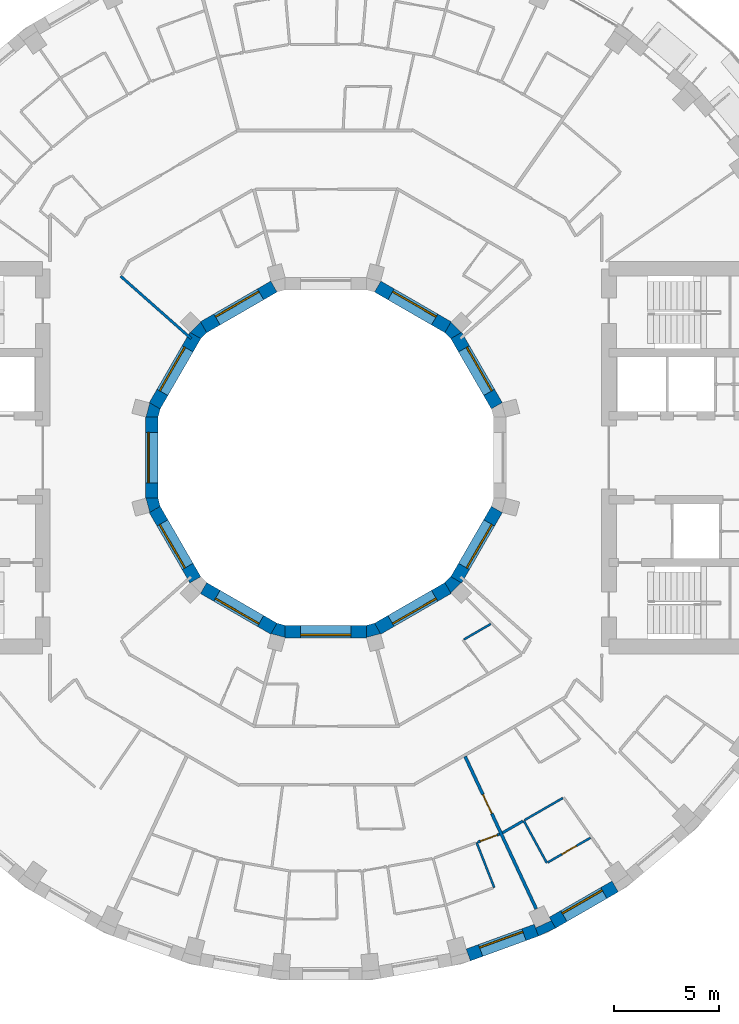
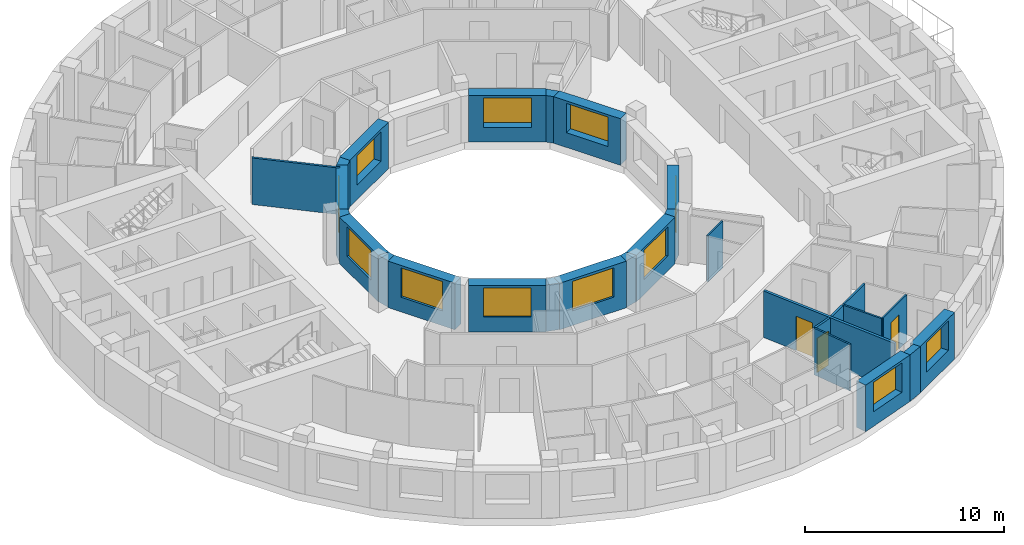
# One storey, part 7 of 15: 29 walls, 12 windows, 3 doors, 15 openings.
"""IFC4 building model written with IfcOpenShell, lengths in metres."""

from ifc_helpers import new_model, si_unit, direction, frame, frame_2d, origin, place, context, subcontext, project, spatial, polyline, rectangle, outline, extrude, material, layer, layer_set, type_object, element, fill, save


model = new_model("IFC4")

# Units and contexts
model_context = context("Model", 3, precision=1e-05, world=origin(), true_north=direction((0.0, 1.0)))
body_context = subcontext(model_context, "Body", "Model", "MODEL_VIEW")
ifc_project = project(units=[si_unit("LENGTHUNIT", "METRE"), si_unit("AREAUNIT", "SQUARE_METRE"), si_unit("VOLUMEUNIT", "CUBIC_METRE"), si_unit("PLANEANGLEUNIT", "RADIAN"), si_unit("MASSUNIT", "GRAM", prefix="KILO")], contexts=[model_context])

# Site, building, storey
site_placement = place(None, origin())
site = spatial("IfcSite", under=ifc_project, at=site_placement, CompositionType="ELEMENT")
building_placement = place(site_placement, origin())
building = spatial("IfcBuilding", under=site, at=building_placement, Name="Saqina Gate Tower", CompositionType="ELEMENT")
storey_placement = place(building_placement, frame((0.0, 0.0, 190.5)))
storey = spatial("IfcBuildingStorey", under=building, at=storey_placement, Name="L54", CompositionType="ELEMENT", Elevation=190.5)

# Wall
ifc_material_1 = material(Name="Brick masonry (buff)", Category="masonry")
wall_type_1 = type_object("IfcWallType", Name="BRICK PIER COPING BUFF", PredefinedType="SOLIDWALL", material=ifc_material_1)
wall_1_placement = place(storey_placement, origin())
element("IfcWall", 1, at=wall_1_placement, inside=storey, type_object=wall_type_1, Name="Pier cap L54 column 30", PredefinedType="SOLIDWALL", context=body_context, shape_type="SweptSolid", body=[
    extrude(outline(polyline([(10.958740234375, -22.4306640625), (10.65869140625, -21.9111328125), (10.73779296875, -22.080810546875), (10.0126953125, -22.4189453125), (9.93359375, -22.249267578125), (10.138916015625, -22.81298828125), (10.958740234375, -22.4306640625)])), origin(), (0.0, 0.0, 1.0), 2.85009765625),
])

# Wall, opening, window
ifc_material_2 = material(Name="Brick masonry (buff)", Category="masonry")
ifc_layer_1 = layer(ifc_material_2, 0.60009765625)
ifc_layer_set_1 = layer_set([ifc_layer_1], Name="FW-BRICK-BUFF")
wall_type_2 = type_object("IfcWallType", Name="FW-BRICK-BUFF", PredefinedType="SOLIDWALL", material=ifc_layer_set_1)
wall_2_placement = place(storey_placement, frame((6.79443359375, -23.7109375, 0.0), z_axis=(0.0, 0.0, 1.0), x_axis=(0.93968799822, 0.342032843455, 0.0)))
wall_2 = element("IfcWall", 2, at=wall_2_placement, inside=storey, type_object=wall_type_2, Name="Facade wall L54 facet 29", PredefinedType="SOLIDWALL", context=body_context, shape_type="SweptSolid", body=[
    extrude(rectangle(XDim=3.44970703125, YDim=0.60009765625, at=frame_2d((1.724853515625, 0.0))), origin(), (0.0, 0.0, 1.0), 2.85009765625),
])
opening_1_placement = place(wall_2_placement, frame((0.625, 0.0, 0.89990234375)))
opening_1 = element("IfcOpeningElement", 3, at=opening_1_placement, cuts=wall_2, Name="Opening G16-W18", PredefinedType="OPENING", context=body_context, shape_type="SweptSolid", body=[
    extrude(rectangle(XDim=2.199951171875, YDim=1.800048828125, at=frame_2d((1.10009765625, 0.89990234375))), frame((0.0, 0.31201171875, 0.0), z_axis=(0.0, -1.0, 0.0), x_axis=(1.0, 0.0, 0.0)), (0.0, 0.0, 1.0), 0.6240234375),
])
ifc_material_3 = material(Name="Aluminium glazing", Category="aluminium")
window_type_1 = type_object("IfcWindowType", Name="WN-C", PartitioningType="SINGLE_PANEL", PredefinedType="WINDOW", material=ifc_material_3)
window_1_placement = place(opening_1_placement, origin())
window_1 = element("IfcWindow", 4, at=window_1_placement, inside=storey, type_object=window_type_1, Name="Window L54 facet 29", OverallHeight=1.800048828125, OverallWidth=2.199951171875, PartitioningType="SINGLE_PANEL", PredefinedType="WINDOW", context=body_context, shape_type="SweptSolid", body=[
    extrude(rectangle(XDim=2.199951171875, YDim=1.800048828125, at=frame_2d((1.10009765625, 0.89990234375))), frame((0.0, 0.179931640625, 0.0), z_axis=(0.0, -1.0, 0.0), x_axis=(1.0, 0.0, 0.0)), (0.0, 0.0, 1.0), 0.06005859375),
])
fill(opening_1, window_1)

wall_3_placement = place(storey_placement, frame((10.80859375, -22.1708984375, 0.0), z_axis=(0.0, 0.0, 1.0), x_axis=(0.86602648383, 0.499998129301, 0.0)))
wall_3 = element("IfcWall", 5, at=wall_3_placement, inside=storey, type_object=wall_type_2, Name="Facade wall L54 facet 30", PredefinedType="SOLIDWALL", context=body_context, shape_type="SweptSolid", body=[
    extrude(rectangle(XDim=3.44970703125, YDim=0.60009765625, at=frame_2d((1.724853515625, 0.0))), origin(), (0.0, 0.0, 1.0), 2.85009765625),
])
opening_2_placement = place(wall_3_placement, frame((0.625, 0.0, 0.89990234375)))
opening_2 = element("IfcOpeningElement", 6, at=opening_2_placement, cuts=wall_3, Name="Opening G16-W19", PredefinedType="OPENING", context=body_context, shape_type="SweptSolid", body=[
    extrude(rectangle(XDim=2.199951171875, YDim=1.800048828125, at=frame_2d((1.10009765625, 0.89990234375))), frame((0.0, 0.31201171875, 0.0), z_axis=(0.0, -1.0, 0.0), x_axis=(1.0, 0.0, 0.0)), (0.0, 0.0, 1.0), 0.6240234375),
])
window_2_placement = place(opening_2_placement, origin())
window_2 = element("IfcWindow", 7, at=window_2_placement, inside=storey, type_object=window_type_1, Name="Window L54 facet 30", OverallHeight=1.800048828125, OverallWidth=2.199951171875, PartitioningType="SINGLE_PANEL", PredefinedType="WINDOW", context=body_context, shape_type="SweptSolid", body=[
    extrude(rectangle(XDim=2.199951171875, YDim=1.800048828125, at=frame_2d((1.10009765625, 0.89990234375))), frame((0.0, 0.179931640625, 0.0), z_axis=(0.0, -1.0, 0.0), x_axis=(1.0, 0.0, 0.0)), (0.0, 0.0, 1.0), 0.06005859375),
])
fill(opening_2, window_2)

ifc_material_4 = material(Name="Glazed ceramic tile", Category="ceramic")
ifc_layer_2 = layer(ifc_material_4, 0.60009765625)
ifc_layer_set_2 = layer_set([ifc_layer_2], Name="IW-TILE")
wall_type_3 = type_object("IfcWallType", Name="IW-TILE", PredefinedType="SOLIDWALL", material=ifc_layer_set_2)
wall_4_placement = place(storey_placement, frame((8.155517578125, 2.474365234375, 0.0), z_axis=(0.0, 0.0, 1.0), x_axis=(-0.500033728941, 0.866005929495, 0.0)))
wall_4 = element("IfcWall", 8, at=wall_4_placement, inside=storey, type_object=wall_type_3, Name="Well wall L54 facet 1", PredefinedType="SOLIDWALL", context=body_context, shape_type="SweptSolid", body=[
    extrude(rectangle(XDim=3.869873046875, YDim=0.60009765625, at=frame_2d((1.93505859375, 0.0))), origin(), (0.0, 0.0, 1.0), 2.85009765625),
])
opening_3_placement = place(wall_4_placement, frame((0.73486328125, 0.0, 0.89990234375)))
opening_3 = element("IfcOpeningElement", 9, at=opening_3_placement, cuts=wall_4, Name="Opening G16-W23", PredefinedType="OPENING", context=body_context, shape_type="SweptSolid", body=[
    extrude(rectangle(XDim=2.39990234375, YDim=1.800048828125, at=frame_2d((1.199951171875, 0.89990234375))), frame((0.0, 0.31201171875, 0.0), z_axis=(0.0, -1.0, 0.0), x_axis=(1.0, 0.0, 0.0)), (0.0, 0.0, 1.0), 0.6240234375),
])
ifc_material_5 = material(Name="Aluminium glazing", Category="aluminium")
window_type_2 = type_object("IfcWindowType", Name="WN-W", PartitioningType="SINGLE_PANEL", PredefinedType="WINDOW", material=ifc_material_5)
window_3_placement = place(opening_3_placement, origin())
window_3 = element("IfcWindow", 10, at=window_3_placement, inside=storey, type_object=window_type_2, Name="Well window L54 facet 1", OverallHeight=1.800048828125, OverallWidth=2.39990234375, PartitioningType="SINGLE_PANEL", PredefinedType="WINDOW", context=body_context, shape_type="SweptSolid", body=[
    extrude(rectangle(XDim=2.39990234375, YDim=1.800048828125, at=frame_2d((1.199951171875, 0.89990234375))), frame((0.0, -0.119873046875, 0.0), z_axis=(0.0, -1.0, 0.0), x_axis=(1.0, 0.0, 0.0)), (0.0, 0.0, 1.0), 0.06005859375),
])
fill(opening_3, window_3)

wall_5_placement = place(storey_placement, frame((5.82568359375, 6.220458984375, 0.0), z_axis=(0.0, 0.0, 1.0), x_axis=(-0.866005929495, 0.500033728941, 0.0)))
wall_5 = element("IfcWall", 11, at=wall_5_placement, inside=storey, type_object=wall_type_3, Name="Well wall L54 facet 2", PredefinedType="SOLIDWALL", context=body_context, shape_type="SweptSolid", body=[
    extrude(rectangle(XDim=3.869873046875, YDim=0.60009765625, at=frame_2d((1.93505859375, 0.0))), origin(), (0.0, 0.0, 1.0), 2.85009765625),
])
opening_4_placement = place(wall_5_placement, frame((0.73486328125, 0.0, 0.89990234375)))
opening_4 = element("IfcOpeningElement", 12, at=opening_4_placement, cuts=wall_5, Name="Opening G16-W24", PredefinedType="OPENING", context=body_context, shape_type="SweptSolid", body=[
    extrude(rectangle(XDim=2.39990234375, YDim=1.800048828125, at=frame_2d((1.199951171875, 0.89990234375))), frame((0.0, 0.31201171875, 0.0), z_axis=(0.0, -1.0, 0.0), x_axis=(1.0, 0.0, 0.0)), (0.0, 0.0, 1.0), 0.6240234375),
])
window_4_placement = place(opening_4_placement, origin())
window_4 = element("IfcWindow", 13, at=window_4_placement, inside=storey, type_object=window_type_2, Name="Well window L54 facet 2", OverallHeight=1.800048828125, OverallWidth=2.39990234375, PartitioningType="SINGLE_PANEL", PredefinedType="WINDOW", context=body_context, shape_type="SweptSolid", body=[
    extrude(rectangle(XDim=2.39990234375, YDim=1.800048828125, at=frame_2d((1.199951171875, 0.89990234375))), frame((0.0, -0.119873046875, 0.0), z_axis=(0.0, -1.0, 0.0), x_axis=(1.0, 0.0, 0.0)), (0.0, 0.0, 1.0), 0.06005859375),
])
fill(opening_4, window_4)

wall_6_placement = place(storey_placement, frame((-2.474365234375, 8.155517578125, 0.0), z_axis=(0.0, 0.0, 1.0), x_axis=(-0.866005929495, -0.500033728941, 0.0)))
wall_6 = element("IfcWall", 14, at=wall_6_placement, inside=storey, type_object=wall_type_3, Name="Well wall L54 facet 4", PredefinedType="SOLIDWALL", context=body_context, shape_type="SweptSolid", body=[
    extrude(rectangle(XDim=3.869873046875, YDim=0.60009765625, at=frame_2d((1.93505859375, 0.0))), origin(), (0.0, 0.0, 1.0), 2.85009765625),
])
opening_5_placement = place(wall_6_placement, frame((0.73486328125, 0.0, 0.89990234375)))
opening_5 = element("IfcOpeningElement", 15, at=opening_5_placement, cuts=wall_6, Name="Opening G16-W26", PredefinedType="OPENING", context=body_context, shape_type="SweptSolid", body=[
    extrude(rectangle(XDim=2.39990234375, YDim=1.800048828125, at=frame_2d((1.199951171875, 0.89990234375))), frame((0.0, 0.31201171875, 0.0), z_axis=(0.0, -1.0, 0.0), x_axis=(1.0, 0.0, 0.0)), (0.0, 0.0, 1.0), 0.6240234375),
])
window_5_placement = place(opening_5_placement, origin())
window_5 = element("IfcWindow", 16, at=window_5_placement, inside=storey, type_object=window_type_2, Name="Well window L54 facet 4", OverallHeight=1.800048828125, OverallWidth=2.39990234375, PartitioningType="SINGLE_PANEL", PredefinedType="WINDOW", context=body_context, shape_type="SweptSolid", body=[
    extrude(rectangle(XDim=2.39990234375, YDim=1.800048828125, at=frame_2d((1.199951171875, 0.89990234375))), frame((0.0, -0.119873046875, 0.0), z_axis=(0.0, -1.0, 0.0), x_axis=(1.0, 0.0, 0.0)), (0.0, 0.0, 1.0), 0.06005859375),
])
fill(opening_5, window_5)

wall_7_placement = place(storey_placement, frame((-6.220458984375, 5.82568359375, 0.0), z_axis=(0.0, 0.0, 1.0), x_axis=(-0.500033728941, -0.866005929495, 0.0)))
wall_7 = element("IfcWall", 17, at=wall_7_placement, inside=storey, type_object=wall_type_3, Name="Well wall L54 facet 5", PredefinedType="SOLIDWALL", context=body_context, shape_type="SweptSolid", body=[
    extrude(rectangle(XDim=3.869873046875, YDim=0.60009765625, at=frame_2d((1.93505859375, 0.0))), origin(), (0.0, 0.0, 1.0), 2.85009765625),
])
opening_6_placement = place(wall_7_placement, frame((0.73486328125, 0.0, 0.89990234375)))
opening_6 = element("IfcOpeningElement", 18, at=opening_6_placement, cuts=wall_7, Name="Opening G16-W27", PredefinedType="OPENING", context=body_context, shape_type="SweptSolid", body=[
    extrude(rectangle(XDim=2.39990234375, YDim=1.800048828125, at=frame_2d((1.199951171875, 0.89990234375))), frame((0.0, 0.31201171875, 0.0), z_axis=(0.0, -1.0, 0.0), x_axis=(1.0, 0.0, 0.0)), (0.0, 0.0, 1.0), 0.6240234375),
])
window_6_placement = place(opening_6_placement, origin())
window_6 = element("IfcWindow", 19, at=window_6_placement, inside=storey, type_object=window_type_2, Name="Well window L54 facet 5", OverallHeight=1.800048828125, OverallWidth=2.39990234375, PartitioningType="SINGLE_PANEL", PredefinedType="WINDOW", context=body_context, shape_type="SweptSolid", body=[
    extrude(rectangle(XDim=2.39990234375, YDim=1.800048828125, at=frame_2d((1.199951171875, 0.89990234375))), frame((0.0, -0.119873046875, 0.0), z_axis=(0.0, -1.0, 0.0), x_axis=(1.0, 0.0, 0.0)), (0.0, 0.0, 1.0), 0.06005859375),
])
fill(opening_6, window_6)

wall_8_placement = place(storey_placement, frame((-8.300048828125, 1.934814453125, 0.0), z_axis=(0.0, 0.0, 1.0), x_axis=(0.0, -1.0, 0.0)))
wall_8 = element("IfcWall", 20, at=wall_8_placement, inside=storey, type_object=wall_type_3, Name="Well wall L54 facet 6", PredefinedType="SOLIDWALL", context=body_context, shape_type="SweptSolid", body=[
    extrude(rectangle(XDim=3.86962890625, YDim=0.60009765625, at=frame_2d((1.934814453125, 0.0))), origin(), (0.0, 0.0, 1.0), 2.85009765625),
])
opening_7_placement = place(wall_8_placement, frame((0.73486328125, 0.0, 0.89990234375)))
opening_7 = element("IfcOpeningElement", 21, at=opening_7_placement, cuts=wall_8, Name="Opening G16-W28", PredefinedType="OPENING", context=body_context, shape_type="SweptSolid", body=[
    extrude(rectangle(XDim=2.39990234375, YDim=1.800048828125, at=frame_2d((1.199951171875, 0.89990234375))), frame((0.0, 0.31201171875, 0.0), z_axis=(0.0, -1.0, 0.0), x_axis=(1.0, 0.0, 0.0)), (0.0, 0.0, 1.0), 0.6240234375),
])
window_7_placement = place(opening_7_placement, origin())
window_7 = element("IfcWindow", 22, at=window_7_placement, inside=storey, type_object=window_type_2, Name="Well window L54 facet 6", OverallHeight=1.800048828125, OverallWidth=2.39990234375, PartitioningType="SINGLE_PANEL", PredefinedType="WINDOW", context=body_context, shape_type="SweptSolid", body=[
    extrude(rectangle(XDim=2.39990234375, YDim=1.800048828125, at=frame_2d((1.199951171875, 0.89990234375))), frame((0.0, -0.119873046875, 0.0), z_axis=(0.0, -1.0, 0.0), x_axis=(1.0, 0.0, 0.0)), (0.0, 0.0, 1.0), 0.06005859375),
])
fill(opening_7, window_7)

wall_9_placement = place(storey_placement, frame((-8.155517578125, -2.474365234375, 0.0), z_axis=(0.0, 0.0, 1.0), x_axis=(0.500033728941, -0.866005929495, 0.0)))
wall_9 = element("IfcWall", 23, at=wall_9_placement, inside=storey, type_object=wall_type_3, Name="Well wall L54 facet 7", PredefinedType="SOLIDWALL", context=body_context, shape_type="SweptSolid", body=[
    extrude(rectangle(XDim=3.869873046875, YDim=0.60009765625, at=frame_2d((1.93505859375, 0.0))), origin(), (0.0, 0.0, 1.0), 2.85009765625),
])
opening_8_placement = place(wall_9_placement, frame((0.73486328125, 0.0, 0.89990234375)))
opening_8 = element("IfcOpeningElement", 24, at=opening_8_placement, cuts=wall_9, Name="Opening G16-W29", PredefinedType="OPENING", context=body_context, shape_type="SweptSolid", body=[
    extrude(rectangle(XDim=2.39990234375, YDim=1.800048828125, at=frame_2d((1.199951171875, 0.89990234375))), frame((0.0, 0.31201171875, 0.0), z_axis=(0.0, -1.0, 0.0), x_axis=(1.0, 0.0, 0.0)), (0.0, 0.0, 1.0), 0.6240234375),
])
window_8_placement = place(opening_8_placement, origin())
window_8 = element("IfcWindow", 25, at=window_8_placement, inside=storey, type_object=window_type_2, Name="Well window L54 facet 7", OverallHeight=1.800048828125, OverallWidth=2.39990234375, PartitioningType="SINGLE_PANEL", PredefinedType="WINDOW", context=body_context, shape_type="SweptSolid", body=[
    extrude(rectangle(XDim=2.39990234375, YDim=1.800048828125, at=frame_2d((1.199951171875, 0.89990234375))), frame((0.0, -0.119873046875, 0.0), z_axis=(0.0, -1.0, 0.0), x_axis=(1.0, 0.0, 0.0)), (0.0, 0.0, 1.0), 0.06005859375),
])
fill(opening_8, window_8)

wall_10_placement = place(storey_placement, frame((-5.82568359375, -6.220458984375, 0.0), z_axis=(0.0, 0.0, 1.0), x_axis=(0.866005929495, -0.500033728941, 0.0)))
wall_10 = element("IfcWall", 26, at=wall_10_placement, inside=storey, type_object=wall_type_3, Name="Well wall L54 facet 8", PredefinedType="SOLIDWALL", context=body_context, shape_type="SweptSolid", body=[
    extrude(rectangle(XDim=3.869873046875, YDim=0.60009765625, at=frame_2d((1.93505859375, 0.0))), origin(), (0.0, 0.0, 1.0), 2.85009765625),
])
opening_9_placement = place(wall_10_placement, frame((0.73486328125, 0.0, 0.89990234375)))
opening_9 = element("IfcOpeningElement", 27, at=opening_9_placement, cuts=wall_10, Name="Opening G16-W30", PredefinedType="OPENING", context=body_context, shape_type="SweptSolid", body=[
    extrude(rectangle(XDim=2.39990234375, YDim=1.800048828125, at=frame_2d((1.199951171875, 0.89990234375))), frame((0.0, 0.31201171875, 0.0), z_axis=(0.0, -1.0, 0.0), x_axis=(1.0, 0.0, 0.0)), (0.0, 0.0, 1.0), 0.6240234375),
])
window_9_placement = place(opening_9_placement, origin())
window_9 = element("IfcWindow", 28, at=window_9_placement, inside=storey, type_object=window_type_2, Name="Well window L54 facet 8", OverallHeight=1.800048828125, OverallWidth=2.39990234375, PartitioningType="SINGLE_PANEL", PredefinedType="WINDOW", context=body_context, shape_type="SweptSolid", body=[
    extrude(rectangle(XDim=2.39990234375, YDim=1.800048828125, at=frame_2d((1.199951171875, 0.89990234375))), frame((0.0, -0.119873046875, 0.0), z_axis=(0.0, -1.0, 0.0), x_axis=(1.0, 0.0, 0.0)), (0.0, 0.0, 1.0), 0.06005859375),
])
fill(opening_9, window_9)

wall_11_placement = place(storey_placement, frame((-1.934814453125, -8.300048828125, 0.0), z_axis=(0.0, 0.0, 1.0), x_axis=(1.0, 0.0, 0.0)))
wall_11 = element("IfcWall", 29, at=wall_11_placement, inside=storey, type_object=wall_type_3, Name="Well wall L54 facet 9", PredefinedType="SOLIDWALL", context=body_context, shape_type="SweptSolid", body=[
    extrude(rectangle(XDim=3.86962890625, YDim=0.60009765625, at=frame_2d((1.934814453125, 0.0))), origin(), (0.0, 0.0, 1.0), 2.85009765625),
])
opening_10_placement = place(wall_11_placement, frame((0.73486328125, 0.0, 0.89990234375)))
opening_10 = element("IfcOpeningElement", 30, at=opening_10_placement, cuts=wall_11, Name="Opening G16-W31", PredefinedType="OPENING", context=body_context, shape_type="SweptSolid", body=[
    extrude(rectangle(XDim=2.39990234375, YDim=1.800048828125, at=frame_2d((1.199951171875, 0.89990234375))), frame((0.0, 0.31201171875, 0.0), z_axis=(0.0, -1.0, 0.0), x_axis=(1.0, 0.0, 0.0)), (0.0, 0.0, 1.0), 0.6240234375),
])
window_10_placement = place(opening_10_placement, origin())
window_10 = element("IfcWindow", 31, at=window_10_placement, inside=storey, type_object=window_type_2, Name="Well window L54 facet 9", OverallHeight=1.800048828125, OverallWidth=2.39990234375, PartitioningType="SINGLE_PANEL", PredefinedType="WINDOW", context=body_context, shape_type="SweptSolid", body=[
    extrude(rectangle(XDim=2.39990234375, YDim=1.800048828125, at=frame_2d((1.199951171875, 0.89990234375))), frame((0.0, -0.119873046875, 0.0), z_axis=(0.0, -1.0, 0.0), x_axis=(1.0, 0.0, 0.0)), (0.0, 0.0, 1.0), 0.06005859375),
])
fill(opening_10, window_10)

wall_12_placement = place(storey_placement, frame((2.474365234375, -8.155517578125, 0.0), z_axis=(0.0, 0.0, 1.0), x_axis=(0.866005929495, 0.500033728941, 0.0)))
wall_12 = element("IfcWall", 32, at=wall_12_placement, inside=storey, type_object=wall_type_3, Name="Well wall L54 facet 10", PredefinedType="SOLIDWALL", context=body_context, shape_type="SweptSolid", body=[
    extrude(rectangle(XDim=3.869873046875, YDim=0.60009765625, at=frame_2d((1.93505859375, 0.0))), origin(), (0.0, 0.0, 1.0), 2.85009765625),
])
opening_11_placement = place(wall_12_placement, frame((0.73486328125, 0.0, 0.89990234375)))
opening_11 = element("IfcOpeningElement", 33, at=opening_11_placement, cuts=wall_12, Name="Opening G16-W32", PredefinedType="OPENING", context=body_context, shape_type="SweptSolid", body=[
    extrude(rectangle(XDim=2.39990234375, YDim=1.800048828125, at=frame_2d((1.199951171875, 0.89990234375))), frame((0.0, 0.31201171875, 0.0), z_axis=(0.0, -1.0, 0.0), x_axis=(1.0, 0.0, 0.0)), (0.0, 0.0, 1.0), 0.6240234375),
])
window_11_placement = place(opening_11_placement, origin())
window_11 = element("IfcWindow", 34, at=window_11_placement, inside=storey, type_object=window_type_2, Name="Well window L54 facet 10", OverallHeight=1.800048828125, OverallWidth=2.39990234375, PartitioningType="SINGLE_PANEL", PredefinedType="WINDOW", context=body_context, shape_type="SweptSolid", body=[
    extrude(rectangle(XDim=2.39990234375, YDim=1.800048828125, at=frame_2d((1.199951171875, 0.89990234375))), frame((0.0, -0.119873046875, 0.0), z_axis=(0.0, -1.0, 0.0), x_axis=(1.0, 0.0, 0.0)), (0.0, 0.0, 1.0), 0.06005859375),
])
fill(opening_11, window_11)

wall_13_placement = place(storey_placement, frame((6.220458984375, -5.82568359375, 0.0), z_axis=(0.0, 0.0, 1.0), x_axis=(0.500033728941, 0.866005929495, 0.0)))
wall_13 = element("IfcWall", 35, at=wall_13_placement, inside=storey, type_object=wall_type_3, Name="Well wall L54 facet 11", PredefinedType="SOLIDWALL", context=body_context, shape_type="SweptSolid", body=[
    extrude(rectangle(XDim=3.869873046875, YDim=0.60009765625, at=frame_2d((1.93505859375, 0.0))), origin(), (0.0, 0.0, 1.0), 2.85009765625),
])
opening_12_placement = place(wall_13_placement, frame((0.73486328125, 0.0, 0.89990234375)))
opening_12 = element("IfcOpeningElement", 36, at=opening_12_placement, cuts=wall_13, Name="Opening G16-W33", PredefinedType="OPENING", context=body_context, shape_type="SweptSolid", body=[
    extrude(rectangle(XDim=2.39990234375, YDim=1.800048828125, at=frame_2d((1.199951171875, 0.89990234375))), frame((0.0, 0.31201171875, 0.0), z_axis=(0.0, -1.0, 0.0), x_axis=(1.0, 0.0, 0.0)), (0.0, 0.0, 1.0), 0.6240234375),
])
window_12_placement = place(opening_12_placement, origin())
window_12 = element("IfcWindow", 37, at=window_12_placement, inside=storey, type_object=window_type_2, Name="Well window L54 facet 11", OverallHeight=1.800048828125, OverallWidth=2.39990234375, PartitioningType="SINGLE_PANEL", PredefinedType="WINDOW", context=body_context, shape_type="SweptSolid", body=[
    extrude(rectangle(XDim=2.39990234375, YDim=1.800048828125, at=frame_2d((1.199951171875, 0.89990234375))), frame((0.0, -0.119873046875, 0.0), z_axis=(0.0, -1.0, 0.0), x_axis=(1.0, 0.0, 0.0)), (0.0, 0.0, 1.0), 0.06005859375),
])
fill(opening_12, window_12)

# Walls
ifc_material_6 = material(Name="Gypsum board on steel studs, 100 mm", Category="steel")
ifc_layer_3 = layer(ifc_material_6, 0.10009765625)
ifc_layer_set_3 = layer_set([ifc_layer_3], Name="PARTITION 100")
wall_type_4 = type_object("IfcWallType", Name="PARTITION 100", PredefinedType="PARTITIONING", material=ifc_layer_set_3)
wall_14_placement = place(storey_placement, frame((7.19091796875, -18.35205078125, 0.0), z_axis=(0.0, 0.0, 1.0), x_axis=(0.364775478286, -0.931095510912, 0.0)))
element("IfcWall", 38, at=wall_14_placement, inside=storey, type_object=wall_type_4, Name="PARTITION PW3-11", PredefinedType="PARTITIONING", context=body_context, shape_type="SweptSolid", body=[
    extrude(rectangle(XDim=2.30029296875, YDim=0.10009765625, at=frame_2d((1.150146484375, 0.0))), origin(), (0.0, 0.0, 1.0), 2.85009765625),
])
wall_15_placement = place(storey_placement, frame((9.43603515625, -17.304931640625, 0.0), z_axis=(0.0, 0.0, 1.0), x_axis=(0.478926465157, -0.877855022753, 0.0)))
element("IfcWall", 39, at=wall_15_placement, inside=storey, type_object=wall_type_4, Name="PARTITION PW3-15", PredefinedType="PARTITIONING", context=body_context, shape_type="SweptSolid", body=[
    extrude(rectangle(XDim=2.301025390625, YDim=0.10009765625, at=frame_2d((1.150390625, 0.0))), origin(), (0.0, 0.0, 1.0), 2.85009765625),
])

# Wall, opening, door
wall_16_placement = place(storey_placement, frame((10.581298828125, -19.300048828125, 0.0), z_axis=(0.0, 0.0, 1.0), x_axis=(0.866009076391, 0.500028278809, 0.0)))
wall_16 = element("IfcWall", 40, at=wall_16_placement, inside=storey, type_object=wall_type_4, Name="PARTITION PW3-67", PredefinedType="PARTITIONING", context=body_context, shape_type="SweptSolid", body=[
    extrude(rectangle(XDim=2.349365234375, YDim=0.10009765625, at=frame_2d((1.1748046875, 0.0))), origin(), (0.0, 0.0, 1.0), 2.85009765625),
])
opening_13_placement = place(wall_16_placement, frame((0.781005859375, 0.0, 0.0)))
opening_13 = element("IfcOpeningElement", 41, at=opening_13_placement, cuts=wall_16, Name="Opening G16-D55", PredefinedType="OPENING", context=body_context, shape_type="SweptSolid", body=[
    extrude(rectangle(XDim=0.800048828125, YDim=2.10009765625, at=frame_2d((0.39990234375, 1.050048828125))), frame((0.0, 0.06201171875, 0.0), z_axis=(0.0, -1.0, 0.0), x_axis=(1.0, 0.0, 0.0)), (0.0, 0.0, 1.0), 0.1240234375),
])
ifc_material_7 = material(Name="Timber door leaf, 800 mm", Category="wood")
door_type_1 = type_object("IfcDoorType", Name="DOOR 800 TIMBER", OperationType="SINGLE_SWING_LEFT", PredefinedType="DOOR", material=ifc_material_7)
door_1_placement = place(opening_13_placement, frame((0.800048828125, 0.0, 0.0), z_axis=(0.0, 0.0, 1.0), x_axis=(-1.0, 0.0, 0.0)))
door_1 = element("IfcDoor", 42, at=door_1_placement, inside=storey, type_object=door_type_1, Name="DOOR G16-D55", OperationType="SINGLE_SWING_LEFT", OverallHeight=2.10009765625, OverallWidth=0.800048828125, PredefinedType="DOOR", context=body_context, shape_type="SweptSolid", body=[
    extrude(rectangle(XDim=0.800048828125, YDim=2.10009765625, at=frame_2d((0.39990234375, 1.050048828125))), frame((0.0, 0.02490234375, 0.0), z_axis=(0.0, -1.0, 0.0), x_axis=(1.0, 0.0, 0.0)), (0.0, 0.0, 1.0), 0.050048828125),
])
fill(opening_13, door_1)

# Walls
wall_17_placement = place(storey_placement, frame((9.479248046875, -17.280029296875, 0.0), z_axis=(0.0, 0.0, 1.0), x_axis=(0.86606956535, 0.499923502123, 0.0)))
element("IfcWall", 43, at=wall_17_placement, inside=storey, type_object=wall_type_4, Name="PARTITION PW3-68", PredefinedType="PARTITIONING", context=body_context, shape_type="SweptSolid", body=[
    extrude(rectangle(XDim=2.102294921875, YDim=0.10009765625, at=frame_2d((1.05126953125, 0.0))), origin(), (0.0, 0.0, 1.0), 2.85009765625),
])
wall_18_placement = place(storey_placement, frame((6.582275390625, -8.6708984375, 0.0), z_axis=(0.0, 0.0, 1.0), x_axis=(0.86582534463, 0.500346352636, 0.0)))
element("IfcWall", 44, at=wall_18_placement, inside=storey, type_object=wall_type_4, Name="PARTITION PW3-70", PredefinedType="PARTITIONING", context=body_context, shape_type="SweptSolid", body=[
    extrude(rectangle(XDim=1.47900390625, YDim=0.10009765625, at=frame_2d((0.739501953125, 0.0))), origin(), (0.0, 0.0, 1.0), 2.85009765625),
])
ifc_material_8 = material(Name="Gypsum board on steel studs, 125 mm, fire rated", Category="steel")
ifc_layer_4 = layer(ifc_material_8, 0.125)
ifc_layer_set_4 = layer_set([ifc_layer_4], Name="PARTITION EI 30 125")
wall_type_5 = type_object("IfcWallType", Name="PARTITION EI 30 125", PredefinedType="PARTITIONING", material=ifc_layer_set_4)
wall_19_placement = place(storey_placement, frame((-9.783935546875, 8.654052734375, 0.0), z_axis=(0.0, 0.0, 1.0), x_axis=(0.74898514635, -0.662586787181, 0.0)))
element("IfcWall", 45, at=wall_19_placement, inside=storey, type_object=wall_type_5, Name="PARTITION PW1-09", PredefinedType="PARTITIONING", context=body_context, shape_type="SweptSolid", body=[
    extrude(rectangle(XDim=4.490234375, YDim=0.125, at=frame_2d((2.2451171875, 0.0))), origin(), (0.0, 0.0, 1.0), 2.85009765625),
])

# Wall, opening, door
wall_20_placement = place(storey_placement, frame((7.238037109375, -18.3349609375, 0.0), z_axis=(0.0, 0.0, 1.0), x_axis=(0.939704125186, 0.341988533591, 0.0)))
wall_20 = element("IfcWall", 46, at=wall_20_placement, inside=storey, type_object=wall_type_5, Name="PARTITION PW1-30", PredefinedType="PARTITIONING", context=body_context, shape_type="SweptSolid", body=[
    extrude(rectangle(XDim=1.117919921875, YDim=0.125, at=frame_2d((0.55908203125, 0.0))), origin(), (0.0, 0.0, 1.0), 2.85009765625),
])
opening_14_placement = place(wall_20_placement, frame((0.146484375, 0.0, 0.0)))
opening_14 = element("IfcOpeningElement", 47, at=opening_14_placement, cuts=wall_20, Name="Opening G16-D52", PredefinedType="OPENING", context=body_context, shape_type="SweptSolid", body=[
    extrude(rectangle(XDim=0.85009765625, YDim=2.10009765625, at=frame_2d((0.425048828125, 1.050048828125))), frame((0.0, 0.074462890625, 0.0), z_axis=(0.0, -1.0, 0.0), x_axis=(1.0, 0.0, 0.0)), (0.0, 0.0, 1.0), 0.14892578125),
])
ifc_material_9 = material(Name="Fire door leaf EI 30, 850 mm")
door_type_2 = type_object("IfcDoorType", Name="DOOR 850 EI 30", OperationType="SINGLE_SWING_LEFT", PredefinedType="DOOR", material=ifc_material_9)
door_2_placement = place(opening_14_placement, origin())
door_2 = element("IfcDoor", 48, at=door_2_placement, inside=storey, type_object=door_type_2, Name="DOOR G16-D52", OperationType="SINGLE_SWING_RIGHT", OverallHeight=2.10009765625, OverallWidth=0.85009765625, PredefinedType="DOOR", context=body_context, shape_type="SweptSolid", body=[
    extrude(rectangle(XDim=0.85009765625, YDim=2.10009765625, at=frame_2d((0.425048828125, 1.050048828125))), frame((0.0, 0.02490234375, 0.0), z_axis=(0.0, -1.0, 0.0), x_axis=(1.0, 0.0, 0.0)), (0.0, 0.0, 1.0), 0.050048828125),
])
fill(opening_14, door_2)

# Wall
wall_21_placement = place(storey_placement, frame((8.423828125, -17.889404296875, 0.0), z_axis=(0.0, 0.0, 1.0), x_axis=(0.86607294768, 0.499917642513, 0.0)))
element("IfcWall", 49, at=wall_21_placement, inside=storey, type_object=wall_type_5, Name="PARTITION PW1-32", PredefinedType="PARTITIONING", context=body_context, shape_type="SweptSolid", body=[
    extrude(rectangle(XDim=1.118896484375, YDim=0.125, at=frame_2d((0.5595703125, 0.0))), origin(), (0.0, 0.0, 1.0), 2.85009765625),
])

# Wall, opening, door
ifc_material_10 = material(Name="Gypsum board on steel studs, 150 mm, fire rated", Category="steel")
ifc_layer_5 = layer(ifc_material_10, 0.14990234375)
ifc_layer_set_5 = layer_set([ifc_layer_5], Name="PARTITION EI 60 150")
wall_type_6 = type_object("IfcWallType", Name="PARTITION EI 60 150", PredefinedType="PARTITIONING", material=ifc_layer_set_5)
wall_22_placement = place(storey_placement, frame((6.64453125, -14.2490234375, 0.0), z_axis=(0.0, 0.0, 1.0), x_axis=(0.422700425591, -0.90626946887, 0.0)))
wall_22 = element("IfcWall", 50, at=wall_22_placement, inside=storey, type_object=wall_type_6, Name="PARTITION PW2-04", PredefinedType="PARTITIONING", context=body_context, shape_type="SweptSolid", body=[
    extrude(rectangle(XDim=8.017822265625, YDim=0.14990234375, at=frame_2d((4.0087890625, 0.0))), origin(), (0.0, 0.0, 1.0), 2.85009765625),
])
opening_15_placement = place(wall_22_placement, frame((2.00244140625, 0.0, 0.0)))
opening_15 = element("IfcOpeningElement", 51, at=opening_15_placement, cuts=wall_22, Name="Opening G16-D53", PredefinedType="OPENING", context=body_context, shape_type="SweptSolid", body=[
    extrude(rectangle(XDim=1.0, YDim=2.10009765625, at=frame_2d((0.5, 1.050048828125))), frame((0.0, 0.0869140625, 0.0), z_axis=(0.0, -1.0, 0.0), x_axis=(1.0, 0.0, 0.0)), (0.0, 0.0, 1.0), 0.173828125),
])
ifc_material_11 = material(Name="Fire door leaf EI 30, 1000 mm")
door_type_3 = type_object("IfcDoorType", Name="DOOR 1000 EI 30", OperationType="SINGLE_SWING_LEFT", PredefinedType="DOOR", material=ifc_material_11)
door_3_placement = place(opening_15_placement, origin())
door_3 = element("IfcDoor", 52, at=door_3_placement, inside=storey, type_object=door_type_3, Name="DOOR G16-D53", OperationType="SINGLE_SWING_LEFT", OverallHeight=2.10009765625, OverallWidth=1.0, PredefinedType="DOOR", context=body_context, shape_type="SweptSolid", body=[
    extrude(rectangle(XDim=1.0, YDim=2.10009765625, at=frame_2d((0.5, 1.050048828125))), frame((0.0, 0.02490234375, 0.0), z_axis=(0.0, -1.0, 0.0), x_axis=(1.0, 0.0, 0.0)), (0.0, 0.0, 1.0), 0.050048828125),
])
fill(opening_15, door_3)

# Walls
ifc_material_12 = material(Name="Glazed ceramic tile", Category="ceramic")
wall_type_7 = type_object("IfcWallType", Name="TILE PIER COPING", PredefinedType="SOLIDWALL", material=ifc_material_12)
wall_23_placement = place(storey_placement, origin())
element("IfcWall", 53, at=wall_23_placement, inside=storey, type_object=wall_type_7, Name="Well pier cap L54 column 2", PredefinedType="SOLIDWALL", context=body_context, shape_type="SweptSolid", body=[
    extrude(outline(polyline([(5.96240234375, 6.45751953125), (5.67578125, 5.960693359375), (5.960693359375, 5.67578125), (6.45751953125, 5.96240234375), (5.96240234375, 6.45751953125)])), origin(), (0.0, 0.0, 1.0), 2.85009765625),
])
wall_24_placement = place(storey_placement, origin())
element("IfcWall", 54, at=wall_24_placement, inside=storey, type_object=wall_type_7, Name="Well pier cap L54 column 5", PredefinedType="SOLIDWALL", context=body_context, shape_type="SweptSolid", body=[
    extrude(outline(polyline([(-6.45751953125, 5.96240234375), (-5.960693359375, 5.67578125), (-5.67578125, 5.960693359375), (-5.96240234375, 6.45751953125), (-6.45751953125, 5.96240234375)])), origin(), (0.0, 0.0, 1.0), 2.85009765625),
])
wall_25_placement = place(storey_placement, origin())
element("IfcWall", 55, at=wall_25_placement, inside=storey, type_object=wall_type_7, Name="Well pier cap L54 column 6", PredefinedType="SOLIDWALL", context=body_context, shape_type="SweptSolid", body=[
    extrude(outline(polyline([(-8.573486328125, 1.934814453125), (-8.0, 1.934814453125), (-7.895751953125, 2.32421875), (-8.392333984375, 2.611083984375), (-8.573486328125, 1.934814453125)])), origin(), (0.0, 0.0, 1.0), 2.85009765625),
])
wall_26_placement = place(storey_placement, origin())
element("IfcWall", 56, at=wall_26_placement, inside=storey, type_object=wall_type_7, Name="Well pier cap L54 column 7", PredefinedType="SOLIDWALL", context=body_context, shape_type="SweptSolid", body=[
    extrude(outline(polyline([(-8.0, -1.934814453125), (-8.573486328125, -1.934814453125), (-8.392333984375, -2.611083984375), (-7.895751953125, -2.32421875), (-8.0, -1.934814453125)])), origin(), (0.0, 0.0, 1.0), 2.85009765625),
])
wall_27_placement = place(storey_placement, origin())
element("IfcWall", 57, at=wall_27_placement, inside=storey, type_object=wall_type_7, Name="Well pier cap L54 column 9", PredefinedType="SOLIDWALL", context=body_context, shape_type="SweptSolid", body=[
    extrude(outline(polyline([(-1.934814453125, -8.573486328125), (-1.934814453125, -8.0), (-2.32421875, -7.895751953125), (-2.611083984375, -8.392333984375), (-1.934814453125, -8.573486328125)])), origin(), (0.0, 0.0, 1.0), 2.85009765625),
])
wall_28_placement = place(storey_placement, origin())
element("IfcWall", 58, at=wall_28_placement, inside=storey, type_object=wall_type_7, Name="Well pier cap L54 column 10", PredefinedType="SOLIDWALL", context=body_context, shape_type="SweptSolid", body=[
    extrude(outline(polyline([(2.611083984375, -8.392333984375), (2.32421875, -7.895751953125), (1.934814453125, -8.0), (1.934814453125, -8.573486328125), (2.611083984375, -8.392333984375)])), origin(), (0.0, 0.0, 1.0), 2.85009765625),
])
wall_29_placement = place(storey_placement, origin())
element("IfcWall", 59, at=wall_29_placement, inside=storey, type_object=wall_type_7, Name="Well pier cap L54 column 11", PredefinedType="SOLIDWALL", context=body_context, shape_type="SweptSolid", body=[
    extrude(outline(polyline([(5.96240234375, -6.45751953125), (6.45751953125, -5.96240234375), (5.960693359375, -5.67578125), (5.67578125, -5.960693359375), (5.96240234375, -6.45751953125)])), origin(), (0.0, 0.0, 1.0), 2.85009765625),
])

save(model, "model.ifc")
